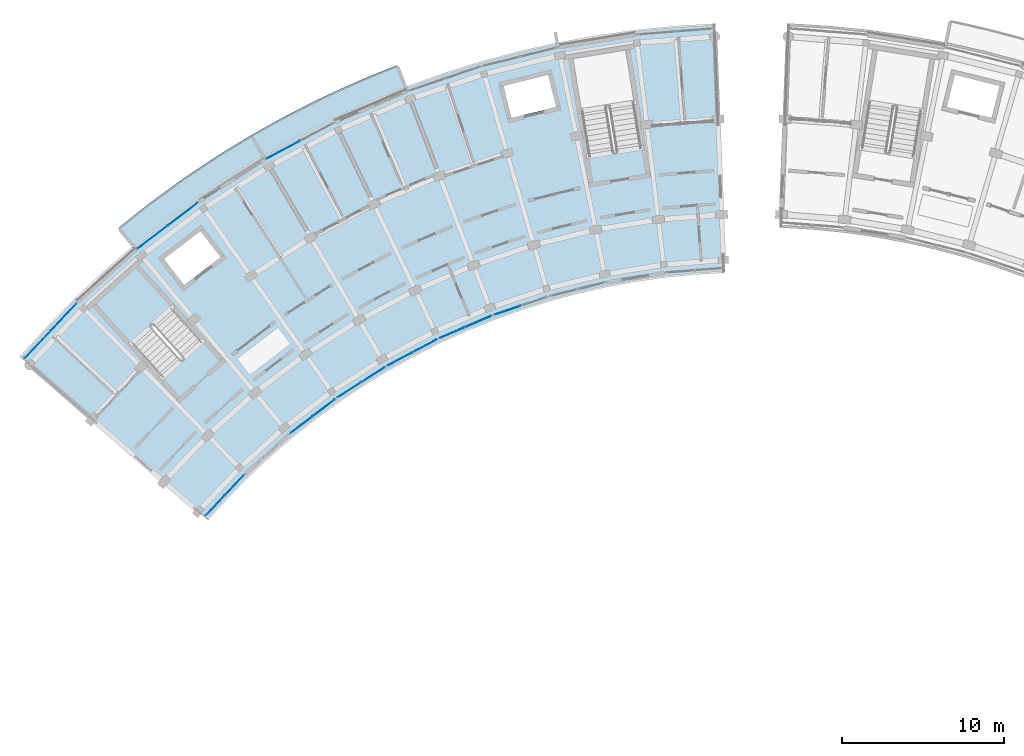
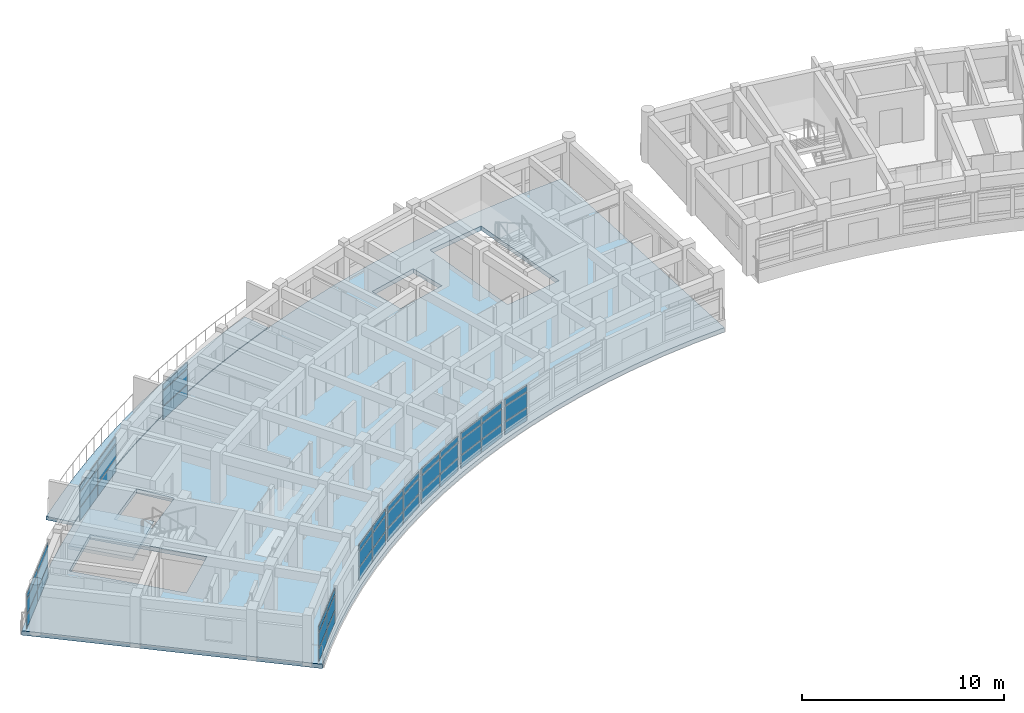
# One storey, part 19 of 40: 48 plates, 3 slabs, 10 elements without a shape of their own.
"""IFC4 building model written with IfcOpenShell, lengths in metres."""

from ifc_helpers import new_model, si_unit, direction, frame, origin, origin_2d, place, context, subcontext, project, spatial, polyline, rectangle, outline, extrude, material, layer, layer_set, type_object, element, aggregate, save


model = new_model("IFC4")

# Units and contexts
model_context = context("Model", 3, precision=1e-05, world=origin(), true_north=direction((0.0, 1.0)))
body_context = subcontext(model_context, "Body", "Model", "MODEL_VIEW")
ifc_project = project(units=[si_unit("LENGTHUNIT", "METRE"), si_unit("AREAUNIT", "SQUARE_METRE"), si_unit("VOLUMEUNIT", "CUBIC_METRE"), si_unit("PLANEANGLEUNIT", "RADIAN"), si_unit("MASSUNIT", "GRAM", prefix="KILO")], contexts=[model_context])

# Site, building, storey
site_placement = place(None, origin())
site = spatial("IfcSite", under=ifc_project, at=site_placement, CompositionType="ELEMENT")
building_placement = place(site_placement, origin())
building = spatial("IfcBuilding", under=site, at=building_placement, Name="Zimvara Arc Housing Community", CompositionType="ELEMENT")
storey_placement = place(building_placement, frame((0.0, 0.0, 32.89990234375)))
storey = spatial("IfcBuildingStorey", under=building, at=storey_placement, Name="L10", CompositionType="ELEMENT", Elevation=32.89990234375)

# Curtain wall, plates
ifc_material_1 = material(Name="Anodised Aluminium AW-6063", Category="aluminium")
curtain_wall_type_1 = type_object("IfcCurtainWallType", Name="CW-SYS-04", PredefinedType="USERDEFINED", material=ifc_material_1)
curtain_wall_1_placement = place(storey_placement, origin())
curtain_wall_1 = element("IfcCurtainWall", 1, at=curtain_wall_1_placement, inside=storey, type_object=curtain_wall_type_1, Name="cw:blkA:L10:in:b2", ObjectType="CURTAIN WALL", PredefinedType="USERDEFINED")
ifc_material_2 = material(Name="Pale-Gold Anodised Aluminium Spandrel Panel", Category="aluminium")
ifc_layer_1 = layer(ifc_material_2, 0.035888671875)
ifc_layer_set_1 = layer_set([ifc_layer_1], Name="Pale-Gold Anodised Aluminium Spandrel Panel")
plate_type_1 = type_object("IfcPlateType", Name="CWP-GLD-36", PredefinedType="CURTAIN_PANEL", material=ifc_layer_set_1)
plate_1_placement = place(storey_placement, frame((17.295654296875, 79.4404296875, 0.065185546875), z_axis=(0.0, 0.0, 1.0), x_axis=(0.795473543119, 0.605988318533, 0.0)))
plate_1 = element("IfcPlate", 2, at=plate_1_placement, type_object=plate_type_1, Name="CW04 panel 1.1", PredefinedType="CURTAIN_PANEL", context=body_context, shape_type="SweptSolid", body=[
    extrude(rectangle(XDim=1.664306640625, YDim=0.035888671875, at=origin_2d()), origin(), (0.0, 0.0, 1.0), 0.75244140625),
])
plate_2_placement = place(storey_placement, frame((17.295654296875, 79.4404296875, 0.8828125), z_axis=(0.0, 0.0, 1.0), x_axis=(0.795473543119, 0.605988318533, 0.0)))
plate_2 = element("IfcPlate", 3, at=plate_2_placement, type_object=plate_type_1, Name="CW04 panel 1.2", PredefinedType="CURTAIN_PANEL", context=body_context, shape_type="SweptSolid", body=[
    extrude(rectangle(XDim=1.664306640625, YDim=0.035888671875, at=origin_2d()), origin(), (0.0, 0.0, 1.0), 0.885009765625),
])
plate_3_placement = place(storey_placement, frame((17.295654296875, 79.4404296875, 1.83251953125), z_axis=(0.0, 0.0, 1.0), x_axis=(0.795473543119, 0.605988318533, 0.0)))
plate_3 = element("IfcPlate", 4, at=plate_3_placement, type_object=plate_type_1, Name="CW04 panel 1.3", PredefinedType="CURTAIN_PANEL", context=body_context, shape_type="SweptSolid", body=[
    extrude(rectangle(XDim=1.664306640625, YDim=0.035888671875, at=origin_2d()), origin(), (0.0, 0.0, 1.0), 0.3525390625),
])
plate_4_placement = place(storey_placement, frame((18.671142578125, 80.48828125, 0.065185546875), z_axis=(0.0, 0.0, 1.0), x_axis=(0.795473543119, 0.605988318533, 0.0)))
plate_4 = element("IfcPlate", 5, at=plate_4_placement, type_object=plate_type_1, Name="CW04 panel 2.1", PredefinedType="CURTAIN_PANEL", context=body_context, shape_type="SweptSolid", body=[
    extrude(rectangle(XDim=1.664306640625, YDim=0.035888671875, at=origin_2d()), origin(), (0.0, 0.0, 1.0), 0.75244140625),
])
plate_5_placement = place(storey_placement, frame((18.671142578125, 80.48828125, 0.8828125), z_axis=(0.0, 0.0, 1.0), x_axis=(0.795473543119, 0.605988318533, 0.0)))
plate_5 = element("IfcPlate", 6, at=plate_5_placement, type_object=plate_type_1, Name="CW04 panel 2.2", PredefinedType="CURTAIN_PANEL", context=body_context, shape_type="SweptSolid", body=[
    extrude(rectangle(XDim=1.664306640625, YDim=0.035888671875, at=origin_2d()), origin(), (0.0, 0.0, 1.0), 0.885009765625),
])
plate_6_placement = place(storey_placement, frame((18.671142578125, 80.48828125, 1.83251953125), z_axis=(0.0, 0.0, 1.0), x_axis=(0.795473543119, 0.605988318533, 0.0)))
plate_6 = element("IfcPlate", 7, at=plate_6_placement, type_object=plate_type_1, Name="CW04 panel 2.3", PredefinedType="CURTAIN_PANEL", context=body_context, shape_type="SweptSolid", body=[
    extrude(rectangle(XDim=1.664306640625, YDim=0.035888671875, at=origin_2d()), origin(), (0.0, 0.0, 1.0), 0.3525390625),
])
aggregate(curtain_wall_1, [plate_1, plate_2, plate_3, plate_4, plate_5, plate_6])

ifc_material_3 = material(Name="Anodised Aluminium AW-6063", Category="aluminium")
curtain_wall_type_2 = type_object("IfcCurtainWallType", Name="CW-SYS-08", PredefinedType="USERDEFINED", material=ifc_material_3)
curtain_wall_2_placement = place(storey_placement, origin())
curtain_wall_2 = element("IfcCurtainWall", 8, at=curtain_wall_2_placement, inside=storey, type_object=curtain_wall_type_2, Name="cw:blkA:L10:in:b5", ObjectType="CURTAIN WALL", PredefinedType="USERDEFINED")
plate_7_placement = place(storey_placement, frame((26.599609375, 85.11767578125, 0.065185546875), z_axis=(0.0, 0.0, 1.0), x_axis=(0.918722178415, 0.394904493375, 0.0)))
plate_7 = element("IfcPlate", 9, at=plate_7_placement, type_object=plate_type_1, Name="CW08 panel 1.1", PredefinedType="CURTAIN_PANEL", context=body_context, shape_type="SweptSolid", body=[
    extrude(rectangle(XDim=1.664306640625, YDim=0.035888671875, at=origin_2d()), origin(), (0.0, 0.0, 1.0), 0.75244140625),
])
plate_8_placement = place(storey_placement, frame((26.599609375, 85.11767578125, 0.8828125), z_axis=(0.0, 0.0, 1.0), x_axis=(0.918722178415, 0.394904493375, 0.0)))
plate_8 = element("IfcPlate", 10, at=plate_8_placement, type_object=plate_type_1, Name="CW08 panel 1.2", PredefinedType="CURTAIN_PANEL", context=body_context, shape_type="SweptSolid", body=[
    extrude(rectangle(XDim=1.664306640625, YDim=0.035888671875, at=origin_2d()), origin(), (0.0, 0.0, 1.0), 0.885009765625),
])
plate_9_placement = place(storey_placement, frame((26.599609375, 85.11767578125, 1.83251953125), z_axis=(0.0, 0.0, 1.0), x_axis=(0.918722178415, 0.394904493375, 0.0)))
plate_9 = element("IfcPlate", 11, at=plate_9_placement, type_object=plate_type_1, Name="CW08 panel 1.3", PredefinedType="CURTAIN_PANEL", context=body_context, shape_type="SweptSolid", body=[
    extrude(rectangle(XDim=1.664306640625, YDim=0.035888671875, at=origin_2d()), origin(), (0.0, 0.0, 1.0), 0.3525390625),
])
plate_10_placement = place(storey_placement, frame((28.1884765625, 85.80078125, 0.065185546875), z_axis=(0.0, 0.0, 1.0), x_axis=(0.918722178415, 0.394904493375, 0.0)))
plate_10 = element("IfcPlate", 12, at=plate_10_placement, type_object=plate_type_1, Name="CW08 panel 2.1", PredefinedType="CURTAIN_PANEL", context=body_context, shape_type="SweptSolid", body=[
    extrude(rectangle(XDim=1.664306640625, YDim=0.035888671875, at=origin_2d()), origin(), (0.0, 0.0, 1.0), 0.75244140625),
])
plate_11_placement = place(storey_placement, frame((28.1884765625, 85.80078125, 0.8828125), z_axis=(0.0, 0.0, 1.0), x_axis=(0.918722178415, 0.394904493375, 0.0)))
plate_11 = element("IfcPlate", 13, at=plate_11_placement, type_object=plate_type_1, Name="CW08 panel 2.2", PredefinedType="CURTAIN_PANEL", context=body_context, shape_type="SweptSolid", body=[
    extrude(rectangle(XDim=1.664306640625, YDim=0.035888671875, at=origin_2d()), origin(), (0.0, 0.0, 1.0), 0.885009765625),
])
plate_12_placement = place(storey_placement, frame((28.1884765625, 85.80078125, 1.83251953125), z_axis=(0.0, 0.0, 1.0), x_axis=(0.918722178415, 0.394904493375, 0.0)))
plate_12 = element("IfcPlate", 14, at=plate_12_placement, type_object=plate_type_1, Name="CW08 panel 2.3", PredefinedType="CURTAIN_PANEL", context=body_context, shape_type="SweptSolid", body=[
    extrude(rectangle(XDim=1.664306640625, YDim=0.035888671875, at=origin_2d()), origin(), (0.0, 0.0, 1.0), 0.3525390625),
])
aggregate(curtain_wall_2, [plate_7, plate_8, plate_9, plate_10, plate_11, plate_12])

ifc_material_4 = material(Name="Anodised Aluminium AW-6063", Category="aluminium")
curtain_wall_type_3 = type_object("IfcCurtainWallType", Name="CW-SYS-01", PredefinedType="USERDEFINED", material=ifc_material_4)
curtain_wall_3_placement = place(storey_placement, origin())
curtain_wall_3 = element("IfcCurtainWall", 15, at=curtain_wall_3_placement, inside=storey, type_object=curtain_wall_type_3, Name="cw:blkA:L10:out:b0", ObjectType="CURTAIN WALL", PredefinedType="USERDEFINED")
ifc_material_5 = material(Name="Solar Control Low-E Double Glazing", Category="glass")
ifc_layer_2 = layer(ifc_material_5, 0.02392578125)
ifc_layer_set_2 = layer_set([ifc_layer_2], Name="Solar Control Low-E Double Glazing")
plate_type_2 = type_object("IfcPlateType", Name="CWP-GLZ-24", PredefinedType="CURTAIN_PANEL", material=ifc_layer_set_2)
plate_13_placement = place(storey_placement, frame((1.049072265625, 84.3720703125, 0.065185546875), z_axis=(0.0, 0.0, 1.0), x_axis=(0.686326416495, 0.727293647725, 0.0)))
plate_13 = element("IfcPlate", 16, at=plate_13_placement, type_object=plate_type_2, Name="CW01 panel 1.1", PredefinedType="CURTAIN_PANEL", context=body_context, shape_type="SweptSolid", body=[
    extrude(rectangle(XDim=2.266845703125, YDim=0.02392578125, at=origin_2d()), origin(), (0.0, 0.0, 1.0), 0.75244140625),
])
plate_14_placement = place(storey_placement, frame((1.049072265625, 84.3720703125, 0.8828125), z_axis=(0.0, 0.0, 1.0), x_axis=(0.686326416495, 0.727293647725, 0.0)))
plate_14 = element("IfcPlate", 17, at=plate_14_placement, type_object=plate_type_2, Name="CW01 panel 1.2", PredefinedType="CURTAIN_PANEL", context=body_context, shape_type="SweptSolid", body=[
    extrude(rectangle(XDim=2.266845703125, YDim=0.02392578125, at=origin_2d()), origin(), (0.0, 0.0, 1.0), 0.885009765625),
])
plate_15_placement = place(storey_placement, frame((1.049072265625, 84.3720703125, 1.83251953125), z_axis=(0.0, 0.0, 1.0), x_axis=(0.686326416495, 0.727293647725, 0.0)))
plate_15 = element("IfcPlate", 18, at=plate_15_placement, type_object=plate_type_2, Name="CW01 panel 1.3", PredefinedType="CURTAIN_PANEL", context=body_context, shape_type="SweptSolid", body=[
    extrude(rectangle(XDim=2.266845703125, YDim=0.02392578125, at=origin_2d()), origin(), (0.0, 0.0, 1.0), 0.3525390625),
])
plate_16_placement = place(storey_placement, frame((2.649658203125, 86.068115234375, 0.065185546875), z_axis=(0.0, 0.0, 1.0), x_axis=(0.686326416495, 0.727293647725, 0.0)))
plate_16 = element("IfcPlate", 19, at=plate_16_placement, type_object=plate_type_2, Name="CW01 panel 2.1", PredefinedType="CURTAIN_PANEL", context=body_context, shape_type="SweptSolid", body=[
    extrude(rectangle(XDim=2.266845703125, YDim=0.02392578125, at=origin_2d()), origin(), (0.0, 0.0, 1.0), 0.75244140625),
])
plate_17_placement = place(storey_placement, frame((2.649658203125, 86.068115234375, 0.8828125), z_axis=(0.0, 0.0, 1.0), x_axis=(0.686326416495, 0.727293647725, 0.0)))
plate_17 = element("IfcPlate", 20, at=plate_17_placement, type_object=plate_type_2, Name="CW01 panel 2.2", PredefinedType="CURTAIN_PANEL", context=body_context, shape_type="SweptSolid", body=[
    extrude(rectangle(XDim=2.266845703125, YDim=0.02392578125, at=origin_2d()), origin(), (0.0, 0.0, 1.0), 0.885009765625),
])
plate_18_placement = place(storey_placement, frame((2.649658203125, 86.068115234375, 1.83251953125), z_axis=(0.0, 0.0, 1.0), x_axis=(0.686326416495, 0.727293647725, 0.0)))
plate_18 = element("IfcPlate", 21, at=plate_18_placement, type_object=plate_type_2, Name="CW01 panel 2.3", PredefinedType="CURTAIN_PANEL", context=body_context, shape_type="SweptSolid", body=[
    extrude(rectangle(XDim=2.266845703125, YDim=0.02392578125, at=origin_2d()), origin(), (0.0, 0.0, 1.0), 0.3525390625),
])
aggregate(curtain_wall_3, [plate_13, plate_14, plate_15, plate_16, plate_17, plate_18])

ifc_material_6 = material(Name="Anodised Aluminium AW-6063", Category="aluminium")
curtain_wall_type_4 = type_object("IfcCurtainWallType", Name="CW-SYS-05", PredefinedType="USERDEFINED", material=ifc_material_6)
curtain_wall_4_placement = place(storey_placement, origin())
curtain_wall_4 = element("IfcCurtainWall", 22, at=curtain_wall_4_placement, inside=storey, type_object=curtain_wall_type_4, Name="cw:blkA:L10:in:b3", ObjectType="CURTAIN WALL", PredefinedType="USERDEFINED")
plate_19_placement = place(storey_placement, frame((20.23876953125, 81.58447265625, 0.065185546875), z_axis=(0.0, 0.0, 1.0), x_axis=(0.842264751752, 0.539064085203, 0.0)))
plate_19 = element("IfcPlate", 23, at=plate_19_placement, type_object=plate_type_2, Name="CW05 panel 1.1", PredefinedType="CURTAIN_PANEL", context=body_context, shape_type="SweptSolid", body=[
    extrude(rectangle(XDim=1.664306640625, YDim=0.02392578125, at=origin_2d()), origin(), (0.0, 0.0, 1.0), 0.75244140625),
])
plate_20_placement = place(storey_placement, frame((20.23876953125, 81.58447265625, 0.8828125), z_axis=(0.0, 0.0, 1.0), x_axis=(0.842264751752, 0.539064085203, 0.0)))
plate_20 = element("IfcPlate", 24, at=plate_20_placement, type_object=plate_type_2, Name="CW05 panel 1.2", PredefinedType="CURTAIN_PANEL", context=body_context, shape_type="SweptSolid", body=[
    extrude(rectangle(XDim=1.664306640625, YDim=0.02392578125, at=origin_2d()), origin(), (0.0, 0.0, 1.0), 0.885009765625),
])
plate_21_placement = place(storey_placement, frame((20.23876953125, 81.58447265625, 1.83251953125), z_axis=(0.0, 0.0, 1.0), x_axis=(0.842264751752, 0.539064085203, 0.0)))
plate_21 = element("IfcPlate", 25, at=plate_21_placement, type_object=plate_type_2, Name="CW05 panel 1.3", PredefinedType="CURTAIN_PANEL", context=body_context, shape_type="SweptSolid", body=[
    extrude(rectangle(XDim=1.664306640625, YDim=0.02392578125, at=origin_2d()), origin(), (0.0, 0.0, 1.0), 0.3525390625),
])
plate_22_placement = place(storey_placement, frame((21.6953125, 82.5166015625, 0.065185546875), z_axis=(0.0, 0.0, 1.0), x_axis=(0.842264751752, 0.539064085203, 0.0)))
plate_22 = element("IfcPlate", 26, at=plate_22_placement, type_object=plate_type_2, Name="CW05 panel 2.1", PredefinedType="CURTAIN_PANEL", context=body_context, shape_type="SweptSolid", body=[
    extrude(rectangle(XDim=1.664306640625, YDim=0.02392578125, at=origin_2d()), origin(), (0.0, 0.0, 1.0), 0.75244140625),
])
plate_23_placement = place(storey_placement, frame((21.6953125, 82.5166015625, 0.8828125), z_axis=(0.0, 0.0, 1.0), x_axis=(0.842264751752, 0.539064085203, 0.0)))
plate_23 = element("IfcPlate", 27, at=plate_23_placement, type_object=plate_type_2, Name="CW05 panel 2.2", PredefinedType="CURTAIN_PANEL", context=body_context, shape_type="SweptSolid", body=[
    extrude(rectangle(XDim=1.664306640625, YDim=0.02392578125, at=origin_2d()), origin(), (0.0, 0.0, 1.0), 0.885009765625),
])
plate_24_placement = place(storey_placement, frame((21.6953125, 82.5166015625, 1.83251953125), z_axis=(0.0, 0.0, 1.0), x_axis=(0.842264751752, 0.539064085203, 0.0)))
plate_24 = element("IfcPlate", 28, at=plate_24_placement, type_object=plate_type_2, Name="CW05 panel 2.3", PredefinedType="CURTAIN_PANEL", context=body_context, shape_type="SweptSolid", body=[
    extrude(rectangle(XDim=1.664306640625, YDim=0.02392578125, at=origin_2d()), origin(), (0.0, 0.0, 1.0), 0.3525390625),
])
aggregate(curtain_wall_4, [plate_19, plate_20, plate_21, plate_22, plate_23, plate_24])

ifc_material_7 = material(Name="Anodised Aluminium AW-6063", Category="aluminium")
curtain_wall_type_5 = type_object("IfcCurtainWallType", Name="CW-SYS-02", PredefinedType="USERDEFINED", material=ifc_material_7)
curtain_wall_5_placement = place(storey_placement, origin())
curtain_wall_5 = element("IfcCurtainWall", 29, at=curtain_wall_5_placement, inside=storey, type_object=curtain_wall_type_5, Name="cw:blkA:L10:in:b0", ObjectType="CURTAIN WALL", PredefinedType="USERDEFINED")
ifc_material_8 = material(Name="Solar Control Low-E Double Glazing", Category="glass")
ifc_layer_3 = layer(ifc_material_8, 0.028076171875)
ifc_layer_set_3 = layer_set([ifc_layer_3], Name="Solar Control Low-E Double Glazing")
plate_type_3 = type_object("IfcPlateType", Name="CWP-GLZ-28", PredefinedType="CURTAIN_PANEL", material=ifc_layer_set_3)
plate_25_placement = place(storey_placement, frame((11.981689453125, 74.469482421875, 0.065185546875), z_axis=(0.0, 0.0, 1.0), x_axis=(0.686326805658, 0.727293280483, 0.0)))
plate_25 = element("IfcPlate", 30, at=plate_25_placement, type_object=plate_type_3, Name="CW02 panel 1.1", PredefinedType="CURTAIN_PANEL", context=body_context, shape_type="SweptSolid", body=[
    extrude(rectangle(XDim=1.664306640625, YDim=0.028076171875, at=origin_2d()), origin(), (0.0, 0.0, 1.0), 0.75244140625),
])
plate_26_placement = place(storey_placement, frame((11.981689453125, 74.469482421875, 0.8828125), z_axis=(0.0, 0.0, 1.0), x_axis=(0.686326805658, 0.727293280483, 0.0)))
plate_26 = element("IfcPlate", 31, at=plate_26_placement, type_object=plate_type_3, Name="CW02 panel 1.2", PredefinedType="CURTAIN_PANEL", context=body_context, shape_type="SweptSolid", body=[
    extrude(rectangle(XDim=1.664306640625, YDim=0.028076171875, at=origin_2d()), origin(), (0.0, 0.0, 1.0), 0.885009765625),
])
plate_27_placement = place(storey_placement, frame((11.981689453125, 74.469482421875, 1.83251953125), z_axis=(0.0, 0.0, 1.0), x_axis=(0.686326805658, 0.727293280483, 0.0)))
plate_27 = element("IfcPlate", 32, at=plate_27_placement, type_object=plate_type_3, Name="CW02 panel 1.3", PredefinedType="CURTAIN_PANEL", context=body_context, shape_type="SweptSolid", body=[
    extrude(rectangle(XDim=1.664306640625, YDim=0.028076171875, at=origin_2d()), origin(), (0.0, 0.0, 1.0), 0.3525390625),
])
plate_28_placement = place(storey_placement, frame((13.168701171875, 75.727294921875, 0.065185546875), z_axis=(0.0, 0.0, 1.0), x_axis=(0.686326805658, 0.727293280483, 0.0)))
plate_28 = element("IfcPlate", 33, at=plate_28_placement, type_object=plate_type_3, Name="CW02 panel 2.1", PredefinedType="CURTAIN_PANEL", context=body_context, shape_type="SweptSolid", body=[
    extrude(rectangle(XDim=1.664306640625, YDim=0.028076171875, at=origin_2d()), origin(), (0.0, 0.0, 1.0), 0.75244140625),
])
plate_29_placement = place(storey_placement, frame((13.168701171875, 75.727294921875, 0.8828125), z_axis=(0.0, 0.0, 1.0), x_axis=(0.686326805658, 0.727293280483, 0.0)))
plate_29 = element("IfcPlate", 34, at=plate_29_placement, type_object=plate_type_3, Name="CW02 panel 2.2", PredefinedType="CURTAIN_PANEL", context=body_context, shape_type="SweptSolid", body=[
    extrude(rectangle(XDim=1.664306640625, YDim=0.028076171875, at=origin_2d()), origin(), (0.0, 0.0, 1.0), 0.885009765625),
])
plate_30_placement = place(storey_placement, frame((13.168701171875, 75.727294921875, 1.83251953125), z_axis=(0.0, 0.0, 1.0), x_axis=(0.686326805658, 0.727293280483, 0.0)))
plate_30 = element("IfcPlate", 35, at=plate_30_placement, type_object=plate_type_3, Name="CW02 panel 2.3", PredefinedType="CURTAIN_PANEL", context=body_context, shape_type="SweptSolid", body=[
    extrude(rectangle(XDim=1.664306640625, YDim=0.028076171875, at=origin_2d()), origin(), (0.0, 0.0, 1.0), 0.3525390625),
])
aggregate(curtain_wall_5, [plate_25, plate_26, plate_27, plate_28, plate_29, plate_30])

ifc_material_9 = material(Name="Anodised Aluminium AW-6063", Category="aluminium")
curtain_wall_type_6 = type_object("IfcCurtainWallType", Name="CW-SYS-06", PredefinedType="USERDEFINED", material=ifc_material_9)
curtain_wall_6_placement = place(storey_placement, origin())
curtain_wall_6 = element("IfcCurtainWall", 36, at=curtain_wall_6_placement, inside=storey, type_object=curtain_wall_type_6, Name="cw:blkA:L10:out:b4", ObjectType="CURTAIN WALL", PredefinedType="USERDEFINED")
plate_31_placement = place(storey_placement, frame((16.1708984375, 96.36865234375, 0.065185546875), z_axis=(0.0, 0.0, 1.0), x_axis=(0.883438614651, 0.468546917761, 0.0)))
plate_31 = element("IfcPlate", 37, at=plate_31_placement, type_object=plate_type_3, Name="CW06 panel 1.1", PredefinedType="CURTAIN_PANEL", context=body_context, shape_type="SweptSolid", body=[
    extrude(rectangle(XDim=2.266845703125, YDim=0.028076171875, at=origin_2d()), origin(), (0.0, 0.0, 1.0), 0.75244140625),
])
plate_32_placement = place(storey_placement, frame((16.1708984375, 96.36865234375, 0.8828125), z_axis=(0.0, 0.0, 1.0), x_axis=(0.883438614651, 0.468546917761, 0.0)))
plate_32 = element("IfcPlate", 38, at=plate_32_placement, type_object=plate_type_3, Name="CW06 panel 1.2", PredefinedType="CURTAIN_PANEL", context=body_context, shape_type="SweptSolid", body=[
    extrude(rectangle(XDim=2.266845703125, YDim=0.028076171875, at=origin_2d()), origin(), (0.0, 0.0, 1.0), 0.885009765625),
])
plate_33_placement = place(storey_placement, frame((16.1708984375, 96.36865234375, 1.83251953125), z_axis=(0.0, 0.0, 1.0), x_axis=(0.883438614651, 0.468546917761, 0.0)))
plate_33 = element("IfcPlate", 39, at=plate_33_placement, type_object=plate_type_3, Name="CW06 panel 1.3", PredefinedType="CURTAIN_PANEL", context=body_context, shape_type="SweptSolid", body=[
    extrude(rectangle(XDim=2.266845703125, YDim=0.028076171875, at=origin_2d()), origin(), (0.0, 0.0, 1.0), 0.3525390625),
])
aggregate(curtain_wall_6, [plate_31, plate_32, plate_33])

curtain_wall_7_placement = place(storey_placement, origin())
curtain_wall_7 = element("IfcCurtainWall", 40, at=curtain_wall_7_placement, inside=storey, type_object=curtain_wall_type_5, Name="cw:blkA:L10:in:b6", ObjectType="CURTAIN WALL", PredefinedType="USERDEFINED")
plate_34_placement = place(storey_placement, frame((29.97509765625, 86.483642578125, 0.065185546875), z_axis=(0.0, 0.0, 1.0), x_axis=(0.94787908732, 0.318630249383, 0.0)))
plate_34 = element("IfcPlate", 41, at=plate_34_placement, type_object=plate_type_3, Name="CW02 panel 1.1", PredefinedType="CURTAIN_PANEL", context=body_context, shape_type="SweptSolid", body=[
    extrude(rectangle(XDim=1.664306640625, YDim=0.028076171875, at=origin_2d()), origin(), (0.0, 0.0, 1.0), 0.75244140625),
])
plate_35_placement = place(storey_placement, frame((29.97509765625, 86.483642578125, 0.8828125), z_axis=(0.0, 0.0, 1.0), x_axis=(0.94787908732, 0.318630249383, 0.0)))
plate_35 = element("IfcPlate", 42, at=plate_35_placement, type_object=plate_type_3, Name="CW02 panel 1.2", PredefinedType="CURTAIN_PANEL", context=body_context, shape_type="SweptSolid", body=[
    extrude(rectangle(XDim=1.664306640625, YDim=0.028076171875, at=origin_2d()), origin(), (0.0, 0.0, 1.0), 0.885009765625),
])
plate_36_placement = place(storey_placement, frame((29.97509765625, 86.483642578125, 1.83251953125), z_axis=(0.0, 0.0, 1.0), x_axis=(0.94787908732, 0.318630249383, 0.0)))
plate_36 = element("IfcPlate", 43, at=plate_36_placement, type_object=plate_type_3, Name="CW02 panel 1.3", PredefinedType="CURTAIN_PANEL", context=body_context, shape_type="SweptSolid", body=[
    extrude(rectangle(XDim=1.664306640625, YDim=0.028076171875, at=origin_2d()), origin(), (0.0, 0.0, 1.0), 0.3525390625),
])
aggregate(curtain_wall_7, [plate_34, plate_35, plate_36])

ifc_material_10 = material(Name="Anodised Aluminium AW-6063", Category="aluminium")
curtain_wall_type_7 = type_object("IfcCurtainWallType", Name="CW-SYS-03", PredefinedType="USERDEFINED", material=ifc_material_10)
curtain_wall_8_placement = place(storey_placement, origin())
curtain_wall_8 = element("IfcCurtainWall", 44, at=curtain_wall_8_placement, inside=storey, type_object=curtain_wall_type_7, Name="cw:blkA:L10:out:b2", ObjectType="CURTAIN WALL", PredefinedType="USERDEFINED")
ifc_material_11 = material(Name="Acoustic Laminated Solar Glazing", Category="glass")
ifc_layer_4 = layer(ifc_material_11, 0.031982421875)
ifc_layer_set_4 = layer_set([ifc_layer_4], Name="Acoustic Laminated Solar Glazing")
plate_type_4 = type_object("IfcPlateType", Name="CWP-GLZ-32", PredefinedType="CURTAIN_PANEL", material=ifc_layer_set_4)
plate_37_placement = place(storey_placement, frame((8.118896484375, 90.9892578125, 0.065185546875), z_axis=(0.0, 0.0, 1.0), x_axis=(0.795473999177, 0.60598771987, 0.0)))
plate_37 = element("IfcPlate", 45, at=plate_37_placement, type_object=plate_type_4, Name="CW03 panel 1.1", PredefinedType="CURTAIN_PANEL", context=body_context, shape_type="SweptSolid", body=[
    extrude(rectangle(XDim=2.266845703125, YDim=0.031982421875, at=origin_2d()), origin(), (0.0, 0.0, 1.0), 0.75244140625),
])
plate_38_placement = place(storey_placement, frame((8.118896484375, 90.9892578125, 0.8828125), z_axis=(0.0, 0.0, 1.0), x_axis=(0.795473999177, 0.60598771987, 0.0)))
plate_38 = element("IfcPlate", 46, at=plate_38_placement, type_object=plate_type_4, Name="CW03 panel 1.2", PredefinedType="CURTAIN_PANEL", context=body_context, shape_type="SweptSolid", body=[
    extrude(rectangle(XDim=2.266845703125, YDim=0.031982421875, at=origin_2d()), origin(), (0.0, 0.0, 1.0), 0.885009765625),
])
plate_39_placement = place(storey_placement, frame((8.118896484375, 90.9892578125, 1.83251953125), z_axis=(0.0, 0.0, 1.0), x_axis=(0.795473999177, 0.60598771987, 0.0)))
plate_39 = element("IfcPlate", 47, at=plate_39_placement, type_object=plate_type_4, Name="CW03 panel 1.3", PredefinedType="CURTAIN_PANEL", context=body_context, shape_type="SweptSolid", body=[
    extrude(rectangle(XDim=2.266845703125, YDim=0.031982421875, at=origin_2d()), origin(), (0.0, 0.0, 1.0), 0.3525390625),
])
plate_40_placement = place(storey_placement, frame((9.973876953125, 92.40234375, 0.065185546875), z_axis=(0.0, 0.0, 1.0), x_axis=(0.795473999177, 0.60598771987, 0.0)))
plate_40 = element("IfcPlate", 48, at=plate_40_placement, type_object=plate_type_4, Name="CW03 panel 2.1", PredefinedType="CURTAIN_PANEL", context=body_context, shape_type="SweptSolid", body=[
    extrude(rectangle(XDim=2.266845703125, YDim=0.031982421875, at=origin_2d()), origin(), (0.0, 0.0, 1.0), 0.75244140625),
])
plate_41_placement = place(storey_placement, frame((9.973876953125, 92.40234375, 0.8828125), z_axis=(0.0, 0.0, 1.0), x_axis=(0.795473999177, 0.60598771987, 0.0)))
plate_41 = element("IfcPlate", 49, at=plate_41_placement, type_object=plate_type_4, Name="CW03 panel 2.2", PredefinedType="CURTAIN_PANEL", context=body_context, shape_type="SweptSolid", body=[
    extrude(rectangle(XDim=2.266845703125, YDim=0.031982421875, at=origin_2d()), origin(), (0.0, 0.0, 1.0), 0.885009765625),
])
plate_42_placement = place(storey_placement, frame((9.973876953125, 92.40234375, 1.83251953125), z_axis=(0.0, 0.0, 1.0), x_axis=(0.795473999177, 0.60598771987, 0.0)))
plate_42 = element("IfcPlate", 50, at=plate_42_placement, type_object=plate_type_4, Name="CW03 panel 2.3", PredefinedType="CURTAIN_PANEL", context=body_context, shape_type="SweptSolid", body=[
    extrude(rectangle(XDim=2.266845703125, YDim=0.031982421875, at=origin_2d()), origin(), (0.0, 0.0, 1.0), 0.3525390625),
])
aggregate(curtain_wall_8, [plate_37, plate_38, plate_39, plate_40, plate_41, plate_42])

ifc_material_12 = material(Name="Anodised Aluminium AW-6063", Category="aluminium")
curtain_wall_type_8 = type_object("IfcCurtainWallType", Name="CW-SYS-07", PredefinedType="USERDEFINED", material=ifc_material_12)
curtain_wall_9_placement = place(storey_placement, origin())
curtain_wall_9 = element("IfcCurtainWall", 51, at=curtain_wall_9_placement, inside=storey, type_object=curtain_wall_type_8, Name="cw:blkA:L10:in:b4", ObjectType="CURTAIN WALL", PredefinedType="USERDEFINED")
plate_43_placement = place(storey_placement, frame((23.346923828125, 83.48095703125, 0.065185546875), z_axis=(0.0, 0.0, 1.0), x_axis=(0.88343981815, 0.468544648573, 0.0)))
plate_43 = element("IfcPlate", 52, at=plate_43_placement, type_object=plate_type_4, Name="CW07 panel 1.1", PredefinedType="CURTAIN_PANEL", context=body_context, shape_type="SweptSolid", body=[
    extrude(rectangle(XDim=1.664306640625, YDim=0.031982421875, at=origin_2d()), origin(), (0.0, 0.0, 1.0), 0.75244140625),
])
plate_44_placement = place(storey_placement, frame((23.346923828125, 83.48095703125, 0.8828125), z_axis=(0.0, 0.0, 1.0), x_axis=(0.88343981815, 0.468544648573, 0.0)))
plate_44 = element("IfcPlate", 53, at=plate_44_placement, type_object=plate_type_4, Name="CW07 panel 1.2", PredefinedType="CURTAIN_PANEL", context=body_context, shape_type="SweptSolid", body=[
    extrude(rectangle(XDim=1.664306640625, YDim=0.031982421875, at=origin_2d()), origin(), (0.0, 0.0, 1.0), 0.885009765625),
])
plate_45_placement = place(storey_placement, frame((23.346923828125, 83.48095703125, 1.83251953125), z_axis=(0.0, 0.0, 1.0), x_axis=(0.88343981815, 0.468544648573, 0.0)))
plate_45 = element("IfcPlate", 54, at=plate_45_placement, type_object=plate_type_4, Name="CW07 panel 1.3", PredefinedType="CURTAIN_PANEL", context=body_context, shape_type="SweptSolid", body=[
    extrude(rectangle(XDim=1.664306640625, YDim=0.031982421875, at=origin_2d()), origin(), (0.0, 0.0, 1.0), 0.3525390625),
])
plate_46_placement = place(storey_placement, frame((24.874755859375, 84.291259765625, 0.065185546875), z_axis=(0.0, 0.0, 1.0), x_axis=(0.88343981815, 0.468544648573, 0.0)))
plate_46 = element("IfcPlate", 55, at=plate_46_placement, type_object=plate_type_4, Name="CW07 panel 2.1", PredefinedType="CURTAIN_PANEL", context=body_context, shape_type="SweptSolid", body=[
    extrude(rectangle(XDim=1.664306640625, YDim=0.031982421875, at=origin_2d()), origin(), (0.0, 0.0, 1.0), 0.75244140625),
])
plate_47_placement = place(storey_placement, frame((24.874755859375, 84.291259765625, 0.8828125), z_axis=(0.0, 0.0, 1.0), x_axis=(0.88343981815, 0.468544648573, 0.0)))
plate_47 = element("IfcPlate", 56, at=plate_47_placement, type_object=plate_type_4, Name="CW07 panel 2.2", PredefinedType="CURTAIN_PANEL", context=body_context, shape_type="SweptSolid", body=[
    extrude(rectangle(XDim=1.664306640625, YDim=0.031982421875, at=origin_2d()), origin(), (0.0, 0.0, 1.0), 0.885009765625),
])
plate_48_placement = place(storey_placement, frame((24.874755859375, 84.291259765625, 1.83251953125), z_axis=(0.0, 0.0, 1.0), x_axis=(0.88343981815, 0.468544648573, 0.0)))
plate_48 = element("IfcPlate", 57, at=plate_48_placement, type_object=plate_type_4, Name="CW07 panel 2.3", PredefinedType="CURTAIN_PANEL", context=body_context, shape_type="SweptSolid", body=[
    extrude(rectangle(XDim=1.664306640625, YDim=0.031982421875, at=origin_2d()), origin(), (0.0, 0.0, 1.0), 0.3525390625),
])
aggregate(curtain_wall_9, [plate_43, plate_44, plate_45, plate_46, plate_47, plate_48])

# Stair, slab
ifc_material_13 = material(Name="Concrete C35/45", Category="concrete")
stair_type = type_object("IfcStairType", Name="STR-DL-312-310", PredefinedType="HALF_TURN_STAIR", material=ifc_material_13)
stair_placement = place(storey_placement, origin())
stair = element("IfcStair", 58, at=stair_placement, inside=storey, type_object=stair_type, Name="L10 Block A Exit Stair 1", PredefinedType="HALF_TURN_STAIR")
ifc_material_14 = material(Name="Concrete C35/45", Category="concrete")
ifc_layer_5 = layer(ifc_material_14, 0.199951171875)
ifc_layer_set_5 = layer_set([ifc_layer_5], Name="Concrete C35/45")
slab_type_1 = type_object("IfcSlabType", Name="SLB-STAIR-LND-200", PredefinedType="LANDING", material=ifc_layer_set_5)
slab_1_placement = place(storey_placement, frame((0.0, 0.0, 1.35009765625)))
slab_1 = element("IfcSlab", 59, at=slab_1_placement, type_object=slab_type_1, Name="ST-A1 landing 1", PredefinedType="LANDING", context=body_context, shape_type="SweptSolid", body=[
    extrude(outline(polyline([(9.3486328125, 86.634521484375), (7.09326171875, 89.14111328125), (4.595458984375, 86.8935546875), (6.850830078125, 84.386962890625), (9.3486328125, 86.634521484375)])), origin(), (0.0, 0.0, 1.0), 0.199951171875),
])
aggregate(stair, [slab_1])

# Slabs
ifc_material_15 = material(Name="Concrete C35/45", Category="concrete")
ifc_layer_6 = layer(ifc_material_15, 0.2099609375)
ifc_layer_set_6 = layer_set([ifc_layer_6], Name="Concrete C35/45")
slab_type_2 = type_object("IfcSlabType", Name="SLB-TER-210", PredefinedType="FLOOR", material=ifc_layer_set_6)
slab_2_placement = place(storey_placement, frame((0.0, 0.0, -0.2099609375)))
element("IfcSlab", 60, at=slab_2_placement, inside=storey, type_object=slab_type_2, Name="slab:blkA:L10:bal_out", PredefinedType="FLOOR", context=body_context, shape_type="SweptSolid", body=[
    extrude(outline(polyline([(6.0205078125, 91.55126953125), (6.958251953125, 90.419189453125), (6.958740234375, 90.41943359375), (8.864501953125, 91.93359375), (8.865478515625, 91.9345703125), (10.831298828125, 93.36962890625), (10.832275390625, 93.370361328125), (12.85498046875, 94.723876953125), (12.856201171875, 94.724609375), (14.932373046875, 95.994384765625), (14.93359375, 95.9951171875), (17.06005859375, 97.17919921875), (17.06103515625, 97.1796875), (19.234130859375, 98.27587890625), (19.2353515625, 98.276611328125), (21.451416015625, 99.283203125), (21.452392578125, 99.28369140625), (23.707763671875, 100.198974609375), (23.708251953125, 100.19921875), (23.183349609375, 101.572265625), (22.0224609375, 101.114990234375), (20.871337890625, 100.634033203125), (19.730224609375, 100.129638671875), (18.599609375, 99.60205078125), (17.47998046875, 99.051513671875), (16.371826171875, 98.47802734375), (15.275634765625, 97.88232421875), (14.19189453125, 97.26416015625), (13.120849609375, 96.624267578125), (12.063232421875, 95.96240234375), (11.019287109375, 95.279052734375), (9.989501953125, 94.57470703125), (8.974365234375, 93.849365234375), (7.97412109375, 93.103515625), (6.989501953125, 92.337158203125), (6.0205078125, 91.55126953125)])), origin(), (0.0, 0.0, 1.0), 0.2099609375),
])
ifc_material_16 = material(Name="Concrete C35/45", Category="concrete")
ifc_layer_7 = layer(ifc_material_16, 0.263916015625)
ifc_layer_set_7 = layer_set([ifc_layer_7], Name="Concrete C35/45")
slab_type_3 = type_object("IfcSlabType", Name="SLB-VAR-11", PredefinedType="FLOOR", material=ifc_layer_set_7)
slab_3_placement = place(storey_placement, frame((0.0, 0.0, -0.263916015625)))
element("IfcSlab", 61, at=slab_3_placement, inside=storey, type_object=slab_type_3, Name="slab:blkA:L10:main", PredefinedType="FLOOR", context=body_context, shape_type="SweptSolid", body=[
    extrude(outline(polyline([(11.490966796875, 73.62890625), (12.708251953125, 74.972900390625), (13.979248046875, 76.265869140625), (15.302001953125, 77.506103515625), (16.674560546875, 78.69091796875), (18.093994140625, 79.819091796875), (19.55859375, 80.88818359375), (21.0654296875, 81.896484375), (22.6123046875, 82.842529296875), (24.196533203125, 83.724609375), (25.8154296875, 84.541259765625), (27.46630859375, 85.291259765625), (29.146240234375, 85.97314453125), (30.852783203125, 86.5859375), (32.5830078125, 87.12841796875), (34.333984375, 87.599853515625), (36.1025390625, 87.999267578125), (37.885986328125, 88.326416015625), (39.681396484375, 88.580322265625), (41.485595703125, 88.7607421875), (43.295654296875, 88.8671875), (42.712158203125, 104.05615234375), (40.282470703125, 103.9130859375), (37.860595703125, 103.6708984375), (35.450439453125, 103.330078125), (33.056640625, 102.89111328125), (30.682373046875, 102.354736328125), (28.332275390625, 101.721923828125), (26.009765625, 100.99365234375), (23.718994140625, 100.171142578125), (21.463623046875, 99.255859375), (19.247802734375, 98.249267578125), (17.07470703125, 97.15283203125), (14.947998046875, 95.96875), (12.871826171875, 94.698974609375), (10.848876953125, 93.34521484375), (8.883056640625, 91.91015625), (6.9775390625, 90.39599609375), (5.13525390625, 88.805419921875), (3.359619140625, 87.140869140625), (1.6533203125, 85.405029296875), (0.019287109375, 83.60107421875), (11.490966796875, 73.62890625)]), holes=[polyline([(8.73193359375, 82.356201171875), (4.65185546875, 86.890625), (7.090087890625, 89.08447265625), (11.17041015625, 84.550048828125), (8.73193359375, 82.356201171875)]), polyline([(34.9853515625, 95.960205078125), (34.008056640625, 101.9814453125), (37.24560546875, 102.507080078125), (38.222900390625, 96.48583984375), (34.9853515625, 95.960205078125)]), polyline([(10.05615234375, 88.02685546875), (8.820068359375, 89.649658203125), (11.0791015625, 91.37060546875), (12.3154296875, 89.747802734375), (10.05615234375, 88.02685546875)]), polyline([(30.216796875, 98.324951171875), (29.726806640625, 100.30517578125), (32.483642578125, 100.9873046875), (32.9736328125, 99.007080078125), (30.216796875, 98.324951171875)])]), origin(), (0.0, 0.0, 1.0), 0.263916015625),
])

save(model, "model.ifc")
